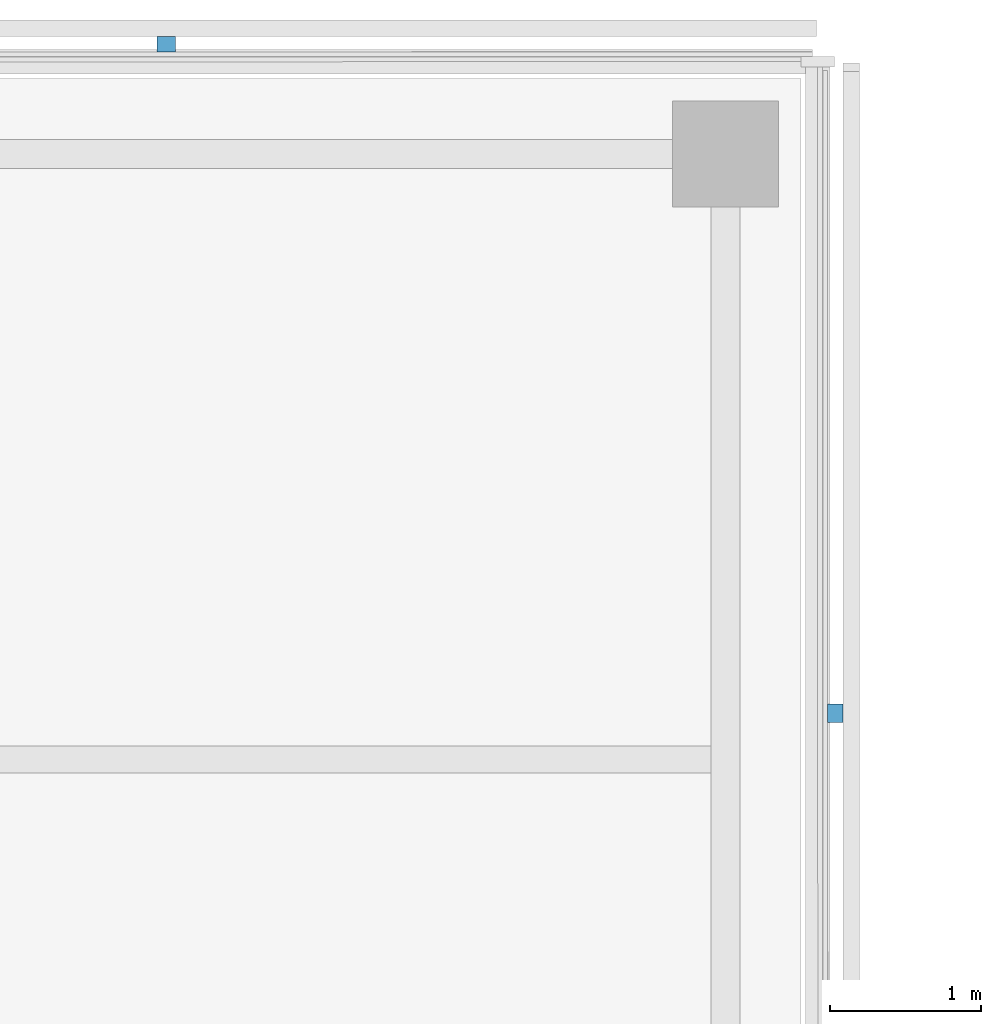
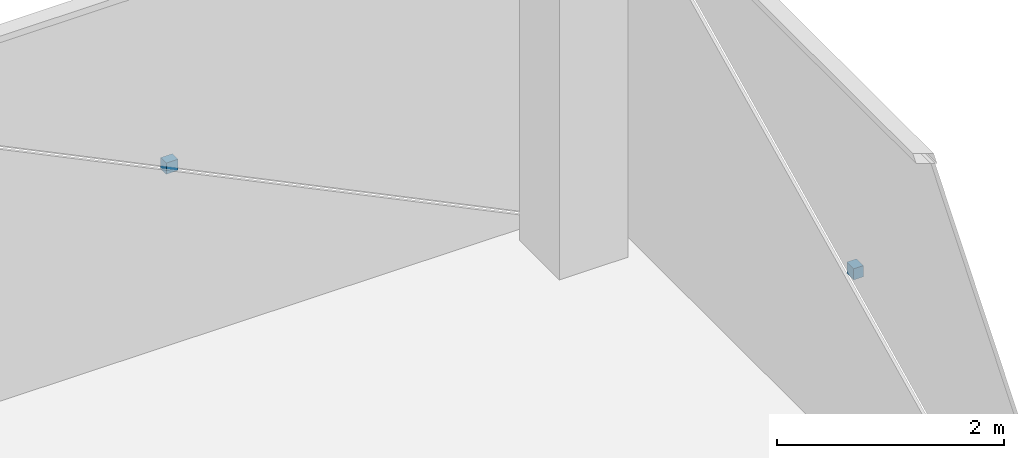
# One storey, part 20 of 22: 2 discrete accessories.
"""IFC4 building model written with IfcOpenShell, lengths in metres."""

from ifc_helpers import new_model, si_unit, direction, frame, origin, origin_2d, place, context, subcontext, project, spatial, rectangle, extrude, material, type_object, element, save


model = new_model("IFC4")

# Units and contexts
model_context = context("Model", 3, precision=1e-05, world=origin(), true_north=direction((0.0, 1.0)))
body_context = subcontext(model_context, "Body", "Model", "MODEL_VIEW")
ifc_project = project(units=[si_unit("LENGTHUNIT", "METRE"), si_unit("AREAUNIT", "SQUARE_METRE"), si_unit("VOLUMEUNIT", "CUBIC_METRE"), si_unit("PLANEANGLEUNIT", "RADIAN"), si_unit("MASSUNIT", "GRAM", prefix="KILO")], contexts=[model_context])

# Site, building, storey
site_placement = place(None, origin())
site = spatial("IfcSite", under=ifc_project, at=site_placement, CompositionType="ELEMENT")
building_placement = place(site_placement, origin())
building = spatial("IfcBuilding", under=site, at=building_placement, Name="Crosswind Convention Tower", CompositionType="ELEMENT")
storey_placement = place(building_placement, frame((0.0, 0.0, 116.89990234375)))
storey = spatial("IfcBuildingStorey", under=building, at=storey_placement, Name="L23", CompositionType="ELEMENT", Elevation=116.89990234375)

# Discrete accessories
ifc_material = material(Name="Stainless steel", Category="steel")
discrete_accessory_type = type_object("IfcDiscreteAccessoryType", Name="BAGUETTE BRACKET BK3", PredefinedType="BRACKET", material=ifc_material)
for number, where, z_axis, x_axis, name in (
    (1, (137.72607421875, 124.304931640625, 1.705078125), (0.0, 0.0, 1.0), (0.0, 1.0, 0.0), "BK3 baguette bracket"),
    (2, (133.304931640625, 128.72607421875, 1.705078125), (0.0, 0.0, 1.0), (-1.0, 0.0, 0.0), "BK3 baguette bracket"),
):
    element("IfcDiscreteAccessory", number, at=place(storey_placement, frame(where, z_axis=z_axis, x_axis=x_axis)), inside=storey, type_object=discrete_accessory_type, Name=name, PredefinedType="BRACKET", context=body_context, shape_type="SweptSolid", body=[
        extrude(rectangle(XDim=0.1201171875, YDim=0.10009765625, at=origin_2d()), origin(), (0.0, 0.0, 1.0), 0.1201171875),
    ])

save(model, "model.ifc")
